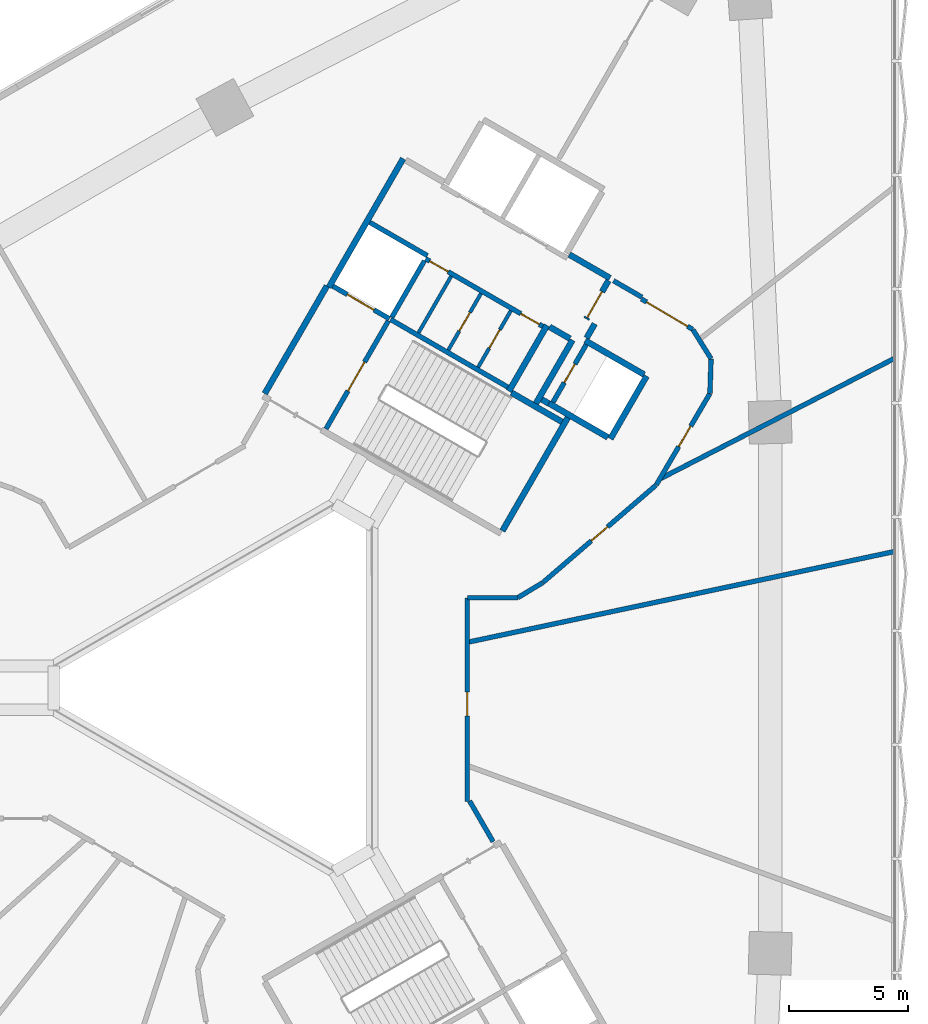
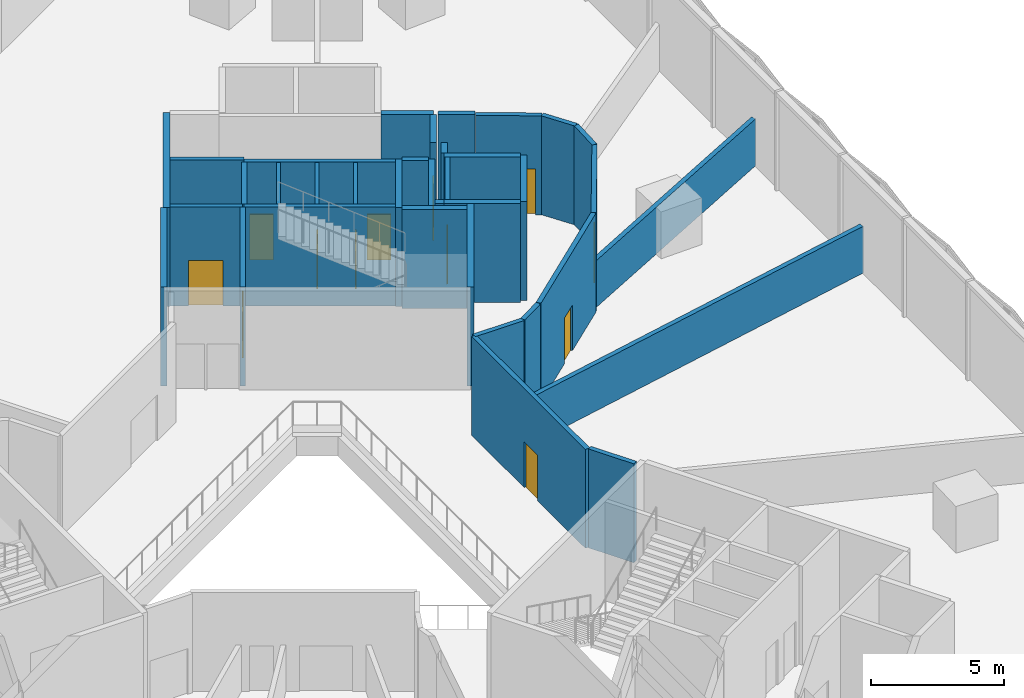
# One storey, part 15 of 24: 36 walls, 12 doors, 12 openings.
"""IFC4 building model written with IfcOpenShell, lengths in metres."""

from ifc_helpers import new_model, si_unit, direction, frame, frame_2d, origin, place, context, subcontext, project, spatial, rectangle, extrude, material, layer, layer_set, type_object, element, fill, save


model = new_model("IFC4")

# Units and contexts
model_context = context("Model", 3, precision=1e-05, world=origin(), true_north=direction((0.0, 1.0)))
body_context = subcontext(model_context, "Body", "Model", "MODEL_VIEW")
ifc_project = project(units=[si_unit("LENGTHUNIT", "METRE"), si_unit("AREAUNIT", "SQUARE_METRE"), si_unit("VOLUMEUNIT", "CUBIC_METRE"), si_unit("PLANEANGLEUNIT", "RADIAN"), si_unit("MASSUNIT", "GRAM", prefix="KILO")], contexts=[model_context])

# Site, building, storey
site_placement = place(None, origin())
site = spatial("IfcSite", under=ifc_project, at=site_placement, CompositionType="ELEMENT")
building_placement = place(site_placement, origin())
building = spatial("IfcBuilding", under=site, at=building_placement, Name="Tamra Quay Hotel Tower", CompositionType="ELEMENT")
storey_placement = place(building_placement, frame((0.0, 0.0, 19.5)))
storey = spatial("IfcBuildingStorey", under=building, at=storey_placement, Name="L03", CompositionType="ELEMENT", Elevation=19.5)

# Wall
ifc_material_1 = material(Name="Concrete M70", Category="concrete")
ifc_layer_1 = layer(ifc_material_1, 0.199951171875)
ifc_layer_set_1 = layer_set([ifc_layer_1], Name="Concrete M70 core wall 200")
wall_type_1 = type_object("IfcWallType", Name="Concrete M70 core wall 200", PredefinedType="SHEAR", material=ifc_layer_set_1)
wall_1_placement = place(storey_placement, frame((5.774658203125, 15.501953125, 0.0), z_axis=(0.0, 0.0, 1.0), x_axis=(0.866020080793, -0.500009219579, 0.0)))
element("IfcWall", 1, at=wall_1_placement, inside=storey, type_object=wall_type_1, Name="CW2", PredefinedType="SHEAR", context=body_context, shape_type="SweptSolid", body=[
    extrude(rectangle(XDim=5.69921875, YDim=0.199951171875, at=frame_2d((2.849609375, 0.0))), origin(), (0.0, 0.0, 1.0), 4.550048828125),
])

# Wall, openings, doors
wall_2_placement = place(storey_placement, frame((12.18505859375, 15.20703125, 0.0), z_axis=(0.0, 0.0, 1.0), x_axis=(-0.866020080793, 0.500009219579, 0.0)))
wall_2 = element("IfcWall", 2, at=wall_2_placement, inside=storey, type_object=wall_type_1, Name="CW2", PredefinedType="SHEAR", context=body_context, shape_type="SweptSolid", body=[
    extrude(rectangle(XDim=5.69921875, YDim=0.199951171875, at=frame_2d((2.849609375, 0.0))), origin(), (0.0, 0.0, 1.0), 4.550048828125),
])
opening_1_placement = place(wall_2_placement, frame((0.174072265625, 0.0, 0.0)))
opening_1 = element("IfcOpeningElement", 3, at=opening_1_placement, cuts=wall_2, Name="Opening D2", PredefinedType="OPENING", context=body_context, shape_type="SweptSolid", body=[
    extrude(rectangle(XDim=0.89990234375, YDim=2.10009765625, at=frame_2d((0.449951171875, 1.050048828125))), frame((0.0, 0.10986328125, 0.0), z_axis=(0.0, -1.0, 0.0), x_axis=(1.0, 0.0, 0.0)), (0.0, 0.0, 1.0), 0.219970703125),
])
opening_2_placement = place(wall_2_placement, frame((4.59912109375, 0.0, 0.0)))
opening_2 = element("IfcOpeningElement", 4, at=opening_2_placement, cuts=wall_2, Name="Opening D2", PredefinedType="OPENING", context=body_context, shape_type="SweptSolid", body=[
    extrude(rectangle(XDim=0.89990234375, YDim=2.10009765625, at=frame_2d((0.449951171875, 1.050048828125))), frame((0.0, 0.10986328125, 0.0), z_axis=(0.0, -1.0, 0.0), x_axis=(1.0, 0.0, 0.0)), (0.0, 0.0, 1.0), 0.219970703125),
])
ifc_material_2 = material(Name="Core door D2 900x2100 LH")
door_type_1 = type_object("IfcDoorType", Name="Core door D2 900x2100 LH", OperationType="NOTDEFINED", PredefinedType="DOOR", material=ifc_material_2)
door_1_placement = place(opening_1_placement, origin())
door_1 = element("IfcDoor", 5, at=door_1_placement, inside=storey, type_object=door_type_1, Name="D2", OperationType="SINGLE_SWING_LEFT", OverallHeight=2.10009765625, OverallWidth=0.89990234375, PredefinedType="DOOR", context=body_context, shape_type="SweptSolid", body=[
    extrude(rectangle(XDim=0.89990234375, YDim=2.10009765625, at=frame_2d((0.449951171875, 1.050048828125))), frame((0.0, 0.02490234375, 0.0), z_axis=(0.0, -1.0, 0.0), x_axis=(1.0, 0.0, 0.0)), (0.0, 0.0, 1.0), 0.050048828125),
])
fill(opening_1, door_1)
ifc_material_3 = material(Name="Core door D2 900x2100 RH")
door_type_2 = type_object("IfcDoorType", Name="Core door D2 900x2100 RH", OperationType="NOTDEFINED", PredefinedType="DOOR", material=ifc_material_3)
door_2_placement = place(opening_2_placement, origin())
door_2 = element("IfcDoor", 6, at=door_2_placement, inside=storey, type_object=door_type_2, Name="D2", OperationType="SINGLE_SWING_RIGHT", OverallHeight=2.10009765625, OverallWidth=0.89990234375, PredefinedType="DOOR", context=body_context, shape_type="SweptSolid", body=[
    extrude(rectangle(XDim=0.89990234375, YDim=2.10009765625, at=frame_2d((0.449951171875, 1.050048828125))), frame((0.0, 0.02490234375, 0.0), z_axis=(0.0, -1.0, 0.0), x_axis=(1.0, 0.0, 0.0)), (0.0, 0.0, 1.0), 0.050048828125),
])
fill(opening_2, door_2)

# Wall, opening, door
wall_3_placement = place(storey_placement, frame((3.056640625, 10.89453125, 0.0), z_axis=(0.0, 0.0, 1.0), x_axis=(0.499989418164, 0.866031513124, 0.0)))
wall_3 = element("IfcWall", 7, at=wall_3_placement, inside=storey, type_object=wall_type_1, Name="CW2", PredefinedType="SHEAR", context=body_context, shape_type="SweptSolid", body=[
    extrude(rectangle(XDim=5.2509765625, YDim=0.199951171875, at=frame_2d((2.62548828125, 0.0))), origin(), (0.0, 0.0, 1.0), 4.550048828125),
])
opening_3_placement = place(wall_3_placement, frame((1.84912109375, 0.0, 0.0)))
opening_3 = element("IfcOpeningElement", 8, at=opening_3_placement, cuts=wall_3, Name="Opening FD2", PredefinedType="OPENING", context=body_context, shape_type="SweptSolid", body=[
    extrude(rectangle(XDim=1.39990234375, YDim=2.10009765625, at=frame_2d((0.699951171875, 1.050048828125))), frame((0.0, 0.10986328125, 0.0), z_axis=(0.0, -1.0, 0.0), x_axis=(1.0, 0.0, 0.0)), (0.0, 0.0, 1.0), 0.219970703125),
])
ifc_material_4 = material(Name="Core door FD2 1400x2100 RH")
door_type_3 = type_object("IfcDoorType", Name="Core door FD2 1400x2100 RH", OperationType="NOTDEFINED", PredefinedType="DOOR", material=ifc_material_4)
door_3_placement = place(opening_3_placement, origin())
door_3 = element("IfcDoor", 9, at=door_3_placement, inside=storey, type_object=door_type_3, Name="FD2", OperationType="SINGLE_SWING_RIGHT", OverallHeight=2.10009765625, OverallWidth=1.39990234375, PredefinedType="DOOR", context=body_context, shape_type="SweptSolid", body=[
    extrude(rectangle(XDim=1.39990234375, YDim=2.10009765625, at=frame_2d((0.699951171875, 1.050048828125))), frame((0.0, 0.02490234375, 0.0), z_axis=(0.0, -1.0, 0.0), x_axis=(1.0, 0.0, 0.0)), (0.0, 0.0, 1.0), 0.050048828125),
])
fill(opening_3, door_3)

wall_4_placement = place(storey_placement, frame((14.0078125, 14.442138671875, 0.0), z_axis=(0.0, 0.0, 1.0), x_axis=(-0.499986818241, -0.866033014143, 0.0)))
wall_4 = element("IfcWall", 10, at=wall_4_placement, inside=storey, type_object=wall_type_1, Name="CW2", PredefinedType="SHEAR", context=body_context, shape_type="SweptSolid", body=[
    extrude(rectangle(XDim=2.7978515625, YDim=0.199951171875, at=frame_2d((1.39892578125, 0.0))), origin(), (0.0, 0.0, 1.0), 4.550048828125),
])
opening_4_placement = place(wall_4_placement, frame((0.948974609375, 0.0, 0.0)))
opening_4 = element("IfcOpeningElement", 11, at=opening_4_placement, cuts=wall_4, Name="Opening D1", PredefinedType="OPENING", context=body_context, shape_type="SweptSolid", body=[
    extrude(rectangle(XDim=0.89990234375, YDim=2.10009765625, at=frame_2d((0.449951171875, 1.050048828125))), frame((0.0, 0.10986328125, 0.0), z_axis=(0.0, -1.0, 0.0), x_axis=(1.0, 0.0, 0.0)), (0.0, 0.0, 1.0), 0.219970703125),
])
ifc_material_5 = material(Name="Core door D1 900x2100 LH")
door_type_4 = type_object("IfcDoorType", Name="Core door D1 900x2100 LH", OperationType="NOTDEFINED", PredefinedType="DOOR", material=ifc_material_5)
door_4_placement = place(opening_4_placement, origin())
door_4 = element("IfcDoor", 12, at=door_4_placement, inside=storey, type_object=door_type_4, Name="D1", OperationType="SINGLE_SWING_LEFT", OverallHeight=2.10009765625, OverallWidth=0.89990234375, PredefinedType="DOOR", context=body_context, shape_type="SweptSolid", body=[
    extrude(rectangle(XDim=0.89990234375, YDim=2.10009765625, at=frame_2d((0.449951171875, 1.050048828125))), frame((0.0, 0.02490234375, 0.0), z_axis=(0.0, -1.0, 0.0), x_axis=(1.0, 0.0, 0.0)), (0.0, 0.0, 1.0), 0.050048828125),
])
fill(opening_4, door_4)

# Wall
wall_5_placement = place(storey_placement, frame((7.199462890625, 17.969970703125, 0.0), z_axis=(0.0, 0.0, 1.0), x_axis=(-0.499968400327, -0.866043647095, 0.0)))
element("IfcWall", 13, at=wall_5_placement, inside=storey, type_object=wall_type_1, Name="CW2", PredefinedType="SHEAR", context=body_context, shape_type="SweptSolid", body=[
    extrude(rectangle(XDim=2.749755859375, YDim=0.199951171875, at=frame_2d((1.375, 0.0))), origin(), (0.0, 0.0, 1.0), 4.550048828125),
])

# Wall, opening, door
wall_6_placement = place(storey_placement, frame((5.72509765625, 15.530517578125, 0.0), z_axis=(0.0, 0.0, 1.0), x_axis=(-0.866037306777, 0.499979382845, 0.0)))
wall_6 = element("IfcWall", 14, at=wall_6_placement, inside=storey, type_object=wall_type_1, Name="CW2", PredefinedType="SHEAR", context=body_context, shape_type="SweptSolid", body=[
    extrude(rectangle(XDim=2.74169921875, YDim=0.199951171875, at=frame_2d((1.370849609375, 0.0))), origin(), (0.0, 0.0, 1.0), 4.550048828125),
])
opening_5_placement = place(wall_6_placement, frame((0.742919921875, 0.0, 0.0)))
opening_5 = element("IfcOpeningElement", 15, at=opening_5_placement, cuts=wall_6, Name="Opening LD", PredefinedType="OPENING", context=body_context, shape_type="SweptSolid", body=[
    extrude(rectangle(XDim=1.300048828125, YDim=2.10009765625, at=frame_2d((0.64990234375, 1.050048828125))), frame((0.0, 0.10986328125, 0.0), z_axis=(0.0, -1.0, 0.0), x_axis=(1.0, 0.0, 0.0)), (0.0, 0.0, 1.0), 0.219970703125),
])
ifc_material_6 = material(Name="Landing door LD 1300 sliding to right")
door_type_5 = type_object("IfcDoorType", Name="Landing door LD 1300 sliding to right", OperationType="NOTDEFINED", PredefinedType="DOOR", material=ifc_material_6)
door_5_placement = place(opening_5_placement, origin())
door_5 = element("IfcDoor", 16, at=door_5_placement, inside=storey, type_object=door_type_5, Name="LD", OperationType="SLIDING_TO_RIGHT", OverallHeight=2.10009765625, OverallWidth=1.300048828125, PredefinedType="DOOR", context=body_context, shape_type="SweptSolid", body=[
    extrude(rectangle(XDim=1.300048828125, YDim=2.10009765625, at=frame_2d((0.64990234375, 1.050048828125))), frame((0.0, 0.02490234375, 0.0), z_axis=(0.0, -1.0, 0.0), x_axis=(1.0, 0.0, 0.0)), (0.0, 0.0, 1.0), 0.050048828125),
])
fill(opening_5, door_5)

# Walls
wall_7_placement = place(storey_placement, frame((4.900634765625, 19.5859375, 0.0), z_axis=(0.0, 0.0, 1.0), x_axis=(0.866022890907, -0.500004352405, 0.0)))
element("IfcWall", 17, at=wall_7_placement, inside=storey, type_object=wall_type_1, Name="CW2", PredefinedType="SHEAR", context=body_context, shape_type="SweptSolid", body=[
    extrude(rectangle(XDim=2.798828125, YDim=0.199951171875, at=frame_2d((1.3994140625, 0.0))), origin(), (0.0, 0.0, 1.0), 4.550048828125),
])
ifc_layer_2 = layer(ifc_material_1, 0.25)
ifc_layer_set_2 = layer_set([ifc_layer_2], Name="Concrete M70 core wall 250")
wall_type_2 = type_object("IfcWallType", Name="Concrete M70 core wall 250", PredefinedType="SHEAR", material=ifc_layer_set_2)
wall_8_placement = place(storey_placement, frame((3.178955078125, 16.856201171875, 0.0), z_axis=(0.0, 0.0, 1.0), x_axis=(0.500004234368, 0.866022959057, 0.0)))
element("IfcWall", 18, at=wall_8_placement, inside=storey, type_object=wall_type_2, Name="CW1", PredefinedType="SHEAR", context=body_context, shape_type="SweptSolid", body=[
    extrude(rectangle(XDim=6.25, YDim=0.25, at=frame_2d((3.125, 0.0))), origin(), (0.0, 0.0, 1.0), 4.550048828125),
])
wall_9_placement = place(storey_placement, frame((0.47998046875, 12.38134765625, 0.0), z_axis=(0.0, 0.0, 1.0), x_axis=(0.49999885962, 0.866026062182, 0.0)))
element("IfcWall", 19, at=wall_9_placement, inside=storey, type_object=wall_type_2, Name="CW1", PredefinedType="SHEAR", context=body_context, shape_type="SweptSolid", body=[
    extrude(rectangle(XDim=5.224609375, YDim=0.25, at=frame_2d((2.6123046875, 0.0))), origin(), (0.0, 0.0, 1.0), 4.550048828125),
])
wall_10_placement = place(storey_placement, frame((13.237548828125, 11.3779296875, 0.0), z_axis=(0.0, 0.0, 1.0), x_axis=(-0.500008851346, -0.866020293397, 0.0)))
element("IfcWall", 20, at=wall_10_placement, inside=storey, type_object=wall_type_2, Name="CW1", PredefinedType="SHEAR", context=body_context, shape_type="SweptSolid", body=[
    extrude(rectangle(XDim=5.509765625, YDim=0.25, at=frame_2d((2.7548828125, 0.0))), origin(), (0.0, 0.0, 1.0), 4.550048828125),
])
wall_11_placement = place(storey_placement, frame((12.356689453125, 15.25244140625, 0.0), z_axis=(0.0, 0.0, 1.0), x_axis=(-0.500028443584, -0.866008981251, 0.0)))
element("IfcWall", 21, at=wall_11_placement, inside=storey, type_object=wall_type_2, Name="CW1", PredefinedType="SHEAR", context=body_context, shape_type="SweptSolid", body=[
    extrude(rectangle(XDim=3.199951171875, YDim=0.25, at=frame_2d((1.60009765625, 0.0))), origin(), (0.0, 0.0, 1.0), 4.550048828125),
])
wall_12_placement = place(storey_placement, frame((16.552001953125, 13.118896484375, 0.0), z_axis=(0.0, 0.0, 1.0), x_axis=(-0.499978833458, -0.866037623948, 0.0)))
element("IfcWall", 22, at=wall_12_placement, inside=storey, type_object=wall_type_2, Name="CW1", PredefinedType="SHEAR", context=body_context, shape_type="SweptSolid", body=[
    extrude(rectangle(XDim=3.050048828125, YDim=0.25, at=frame_2d((1.52490234375, 0.0))), origin(), (0.0, 0.0, 1.0), 4.550048828125),
])
wall_13_placement = place(storey_placement, frame((14.91845703125, 10.540283203125, 0.0), z_axis=(0.0, 0.0, 1.0), x_axis=(-0.866063538972, 0.499933942099, 0.0)))
element("IfcWall", 23, at=wall_13_placement, inside=storey, type_object=wall_type_2, Name="CW1", PredefinedType="SHEAR", context=body_context, shape_type="SweptSolid", body=[
    extrude(rectangle(XDim=2.86474609375, YDim=0.25, at=frame_2d((1.432373046875, 0.0))), origin(), (0.0, 0.0, 1.0), 4.550048828125),
])
wall_14_placement = place(storey_placement, frame((13.962646484375, 14.61376953125, 0.0), z_axis=(0.0, 0.0, 1.0), x_axis=(0.866042235819, -0.499970844928, 0.0)))
element("IfcWall", 24, at=wall_14_placement, inside=storey, type_object=wall_type_2, Name="CW1", PredefinedType="SHEAR", context=body_context, shape_type="SweptSolid", body=[
    extrude(rectangle(XDim=2.864501953125, YDim=0.25, at=frame_2d((1.43212890625, 0.0))), origin(), (0.0, 0.0, 1.0), 4.550048828125),
])
wall_15_placement = place(storey_placement, frame((11.887939453125, 11.960693359375, 0.0), z_axis=(0.0, 0.0, 1.0), x_axis=(0.500003324108, 0.866023484601, 0.0)))
element("IfcWall", 25, at=wall_15_placement, inside=storey, type_object=wall_type_2, Name="CW1", PredefinedType="SHEAR", context=body_context, shape_type="SweptSolid", body=[
    extrude(rectangle(XDim=3.0849609375, YDim=0.25, at=frame_2d((1.54248046875, 0.0))), origin(), (0.0, 0.0, 1.0), 4.550048828125),
])
wall_16_placement = place(storey_placement, frame((10.865234375, 12.41845703125, 0.0), z_axis=(0.0, 0.0, 1.0), x_axis=(0.866026229868, -0.499998569178, 0.0)))
element("IfcWall", 26, at=wall_16_placement, inside=storey, type_object=wall_type_2, Name="CW1", PredefinedType="SHEAR", context=body_context, shape_type="SweptSolid", body=[
    extrude(rectangle(XDim=2.44921875, YDim=0.25, at=frame_2d((1.224609375, 0.0))), origin(), (0.0, 0.0, 1.0), 4.550048828125),
])
wall_17_placement = place(storey_placement, frame((13.29736328125, 18.23095703125, 0.0), z_axis=(0.0, 0.0, 1.0), x_axis=(0.866043531843, -0.499968599967, 0.0)))
element("IfcWall", 27, at=wall_17_placement, inside=storey, type_object=wall_type_2, Name="CW1", PredefinedType="SHEAR", context=body_context, shape_type="SweptSolid", body=[
    extrude(rectangle(XDim=1.974853515625, YDim=0.25, at=frame_2d((0.9873046875, 0.0))), origin(), (0.0, 0.0, 1.0), 4.550048828125),
])

# Wall, opening, door
wall_18_placement = place(storey_placement, frame((14.94482421875, 17.13525390625, 0.0), z_axis=(0.0, 0.0, 1.0), x_axis=(-0.499983108224, -0.866035156036, 0.0)))
wall_18 = element("IfcWall", 28, at=wall_18_placement, inside=storey, type_object=wall_type_2, Name="CW1", PredefinedType="SHEAR", context=body_context, shape_type="SweptSolid", body=[
    extrude(rectangle(XDim=1.86474609375, YDim=0.25, at=frame_2d((0.932373046875, 0.0))), origin(), (0.0, 0.0, 1.0), 4.550048828125),
])
opening_6_placement = place(wall_18_placement, frame((0.53466796875, 0.0, 0.0)))
opening_6 = element("IfcOpeningElement", 29, at=opening_6_placement, cuts=wall_18, Name="Opening FD3", PredefinedType="OPENING", context=body_context, shape_type="SweptSolid", body=[
    extrude(rectangle(XDim=1.25, YDim=2.10009765625, at=frame_2d((0.625, 1.050048828125))), frame((0.0, 0.135009765625, 0.0), z_axis=(0.0, -1.0, 0.0), x_axis=(1.0, 0.0, 0.0)), (0.0, 0.0, 1.0), 0.27001953125),
])
ifc_material_7 = material(Name="Core door FD3 1250x2100 LH")
door_type_6 = type_object("IfcDoorType", Name="Core door FD3 1250x2100 LH", OperationType="NOTDEFINED", PredefinedType="DOOR", material=ifc_material_7)
door_6_placement = place(opening_6_placement, origin())
door_6 = element("IfcDoor", 30, at=door_6_placement, inside=storey, type_object=door_type_6, Name="FD3", OperationType="SINGLE_SWING_LEFT", OverallHeight=2.10009765625, OverallWidth=1.25, PredefinedType="DOOR", context=body_context, shape_type="SweptSolid", body=[
    extrude(rectangle(XDim=1.25, YDim=2.10009765625, at=frame_2d((0.625, 1.050048828125))), frame((0.0, 0.02490234375, 0.0), z_axis=(0.0, -1.0, 0.0), x_axis=(1.0, 0.0, 0.0)), (0.0, 0.0, 1.0), 0.050048828125),
])
fill(opening_6, door_6)

# Walls
wall_19_placement = place(storey_placement, frame((13.322021484375, 14.695068359375, 0.0), z_axis=(0.0, 0.0, 1.0), x_axis=(-0.866017078145, 0.500014420154, 0.0)))
element("IfcWall", 31, at=wall_19_placement, inside=storey, type_object=wall_type_2, Name="CW1", PredefinedType="SHEAR", context=body_context, shape_type="SweptSolid", body=[
    extrude(rectangle(XDim=0.9892578125, YDim=0.25, at=frame_2d((0.49462890625, 0.0))), origin(), (0.0, 0.0, 1.0), 4.550048828125),
])
wall_20_placement = place(storey_placement, frame((14.36767578125, 15.3154296875, 0.0), z_axis=(0.0, 0.0, 1.0), x_axis=(-0.499897359611, -0.866084655132, 0.0)))
element("IfcWall", 32, at=wall_20_placement, inside=storey, type_object=wall_type_2, Name="CW1", PredefinedType="SHEAR", context=body_context, shape_type="SweptSolid", body=[
    extrude(rectangle(XDim=0.684814453125, YDim=0.25, at=frame_2d((0.34228515625, 0.0))), origin(), (0.0, 0.0, 1.0), 4.550048828125),
])
wall_21_placement = place(storey_placement, frame((12.4326171875, 11.9638671875, 0.0), z_axis=(0.0, 0.0, 1.0), x_axis=(-0.866055875208, 0.499947218231, 0.0)))
element("IfcWall", 33, at=wall_21_placement, inside=storey, type_object=wall_type_2, Name="CW1", PredefinedType="SHEAR", context=body_context, shape_type="SweptSolid", body=[
    extrude(rectangle(XDim=0.3447265625, YDim=0.25, at=frame_2d((0.17236328125, 0.0))), origin(), (0.0, 0.0, 1.0), 4.550048828125),
])

# Wall, opening, door
ifc_material_8 = material(Name="Blockwork", Category="masonry")
ifc_layer_3 = layer(ifc_material_8, 0.14990234375)
ifc_layer_set_3 = layer_set([ifc_layer_3], Name="Core partition block 150")
wall_type_3 = type_object("IfcWallType", Name="Core partition block 150", PredefinedType="PARTITIONING", material=ifc_layer_set_3)
wall_22_placement = place(storey_placement, frame((9.462158203125, 13.4892578125, 0.0), z_axis=(0.0, 0.0, 1.0), x_axis=(0.50002746344, 0.86600954718, 0.0)))
wall_22 = element("IfcWall", 34, at=wall_22_placement, inside=storey, type_object=wall_type_3, Name="CP1", PredefinedType="PARTITIONING", context=body_context, shape_type="SweptSolid", body=[
    extrude(rectangle(XDim=2.748291015625, YDim=0.14990234375, at=frame_2d((1.3740234375, 0.0))), origin(), (0.0, 0.0, 1.0), 4.550048828125),
])
opening_7_placement = place(wall_22_placement, frame((0.92431640625, 0.0, 0.0)))
opening_7 = element("IfcOpeningElement", 35, at=opening_7_placement, cuts=wall_22, Name="Opening D2", PredefinedType="OPENING", context=body_context, shape_type="SweptSolid", body=[
    extrude(rectangle(XDim=0.89990234375, YDim=2.10009765625, at=frame_2d((0.449951171875, 1.050048828125))), frame((0.0, 0.0849609375, 0.0), z_axis=(0.0, -1.0, 0.0), x_axis=(1.0, 0.0, 0.0)), (0.0, 0.0, 1.0), 0.169921875),
])
door_7_placement = place(opening_7_placement, origin())
door_7 = element("IfcDoor", 36, at=door_7_placement, inside=storey, type_object=door_type_2, Name="D2", OperationType="SINGLE_SWING_RIGHT", OverallHeight=2.10009765625, OverallWidth=0.89990234375, PredefinedType="DOOR", context=body_context, shape_type="SweptSolid", body=[
    extrude(rectangle(XDim=0.89990234375, YDim=2.10009765625, at=frame_2d((0.449951171875, 1.050048828125))), frame((0.0, 0.02490234375, 0.0), z_axis=(0.0, -1.0, 0.0), x_axis=(1.0, 0.0, 0.0)), (0.0, 0.0, 1.0), 0.050048828125),
])
fill(opening_7, door_7)

wall_23_placement = place(storey_placement, frame((8.20654296875, 14.214111328125, 0.0), z_axis=(0.0, 0.0, 1.0), x_axis=(0.499922376475, 0.866070215109, 0.0)))
wall_23 = element("IfcWall", 37, at=wall_23_placement, inside=storey, type_object=wall_type_3, Name="CP1", PredefinedType="PARTITIONING", context=body_context, shape_type="SweptSolid", body=[
    extrude(rectangle(XDim=2.74853515625, YDim=0.14990234375, at=frame_2d((1.374267578125, 0.0))), origin(), (0.0, 0.0, 1.0), 4.550048828125),
])
opening_8_placement = place(wall_23_placement, frame((0.92431640625, 0.0, 0.0)))
opening_8 = element("IfcOpeningElement", 38, at=opening_8_placement, cuts=wall_23, Name="Opening D2", PredefinedType="OPENING", context=body_context, shape_type="SweptSolid", body=[
    extrude(rectangle(XDim=0.89990234375, YDim=2.10009765625, at=frame_2d((0.449951171875, 1.050048828125))), frame((0.0, 0.0849609375, 0.0), z_axis=(0.0, -1.0, 0.0), x_axis=(1.0, 0.0, 0.0)), (0.0, 0.0, 1.0), 0.169921875),
])
door_8_placement = place(opening_8_placement, origin())
door_8 = element("IfcDoor", 39, at=door_8_placement, inside=storey, type_object=door_type_1, Name="D2", OperationType="SINGLE_SWING_LEFT", OverallHeight=2.10009765625, OverallWidth=0.89990234375, PredefinedType="DOOR", context=body_context, shape_type="SweptSolid", body=[
    extrude(rectangle(XDim=0.89990234375, YDim=2.10009765625, at=frame_2d((0.449951171875, 1.050048828125))), frame((0.0, 0.02490234375, 0.0), z_axis=(0.0, -1.0, 0.0), x_axis=(1.0, 0.0, 0.0)), (0.0, 0.0, 1.0), 0.050048828125),
])
fill(opening_8, door_8)

# Wall
wall_24_placement = place(storey_placement, frame((6.95068359375, 14.939208984375, 0.0), z_axis=(0.0, 0.0, 1.0), x_axis=(0.50002746344, 0.86600954718, 0.0)))
element("IfcWall", 40, at=wall_24_placement, inside=storey, type_object=wall_type_3, Name="CP1", PredefinedType="PARTITIONING", context=body_context, shape_type="SweptSolid", body=[
    extrude(rectangle(XDim=2.748291015625, YDim=0.14990234375, at=frame_2d((1.3740234375, 0.0))), origin(), (0.0, 0.0, 1.0), 4.550048828125),
])

# Wall, opening, door
ifc_material_9 = material(Name="Partition corridor wall")
ifc_layer_4 = layer(ifc_material_9, 0.199951171875)
ifc_layer_set_4 = layer_set([ifc_layer_4], Name="Partition corridor wall")
wall_type_4 = type_object("IfcWallType", Name="Partition corridor wall", PredefinedType="PARTITIONING", material=ifc_layer_set_4)
wall_25_placement = place(storey_placement, frame((9.0, -4.787109375, 0.0), z_axis=(0.0, 0.0, 1.0), x_axis=(0.0, 1.0, 0.0)))
wall_25 = element("IfcWall", 41, at=wall_25_placement, inside=storey, type_object=wall_type_4, Name="W-C", PredefinedType="PARTITIONING", context=body_context, shape_type="SweptSolid", body=[
    extrude(rectangle(XDim=8.571044921875, YDim=0.199951171875, at=frame_2d((4.28564453125, 0.0))), origin(), (0.0, 0.0, 1.0), 4.550048828125),
])
opening_9_placement = place(wall_25_placement, frame((3.6064453125, 0.0, 0.0)))
opening_9 = element("IfcOpeningElement", 42, at=opening_9_placement, cuts=wall_25, Name="Opening L03-D010", PredefinedType="OPENING", context=body_context, shape_type="SweptSolid", body=[
    extrude(rectangle(XDim=1.0, YDim=2.10009765625, at=frame_2d((0.5, 1.050048828125))), frame((0.0, 0.10986328125, 0.0), z_axis=(0.0, -1.0, 0.0), x_axis=(1.0, 0.0, 0.0)), (0.0, 0.0, 1.0), 0.219970703125),
])
ifc_material_10 = material(Name="Door guest room 1000x2100")
door_type_7 = type_object("IfcDoorType", Name="Door guest room 1000x2100", OperationType="NOTDEFINED", PredefinedType="DOOR", material=ifc_material_10)
door_9_placement = place(opening_9_placement, frame((1.0, 0.0, 0.0), z_axis=(0.0, 0.0, 1.0), x_axis=(-1.0, 0.0, 0.0)))
door_9 = element("IfcDoor", 43, at=door_9_placement, inside=storey, type_object=door_type_7, Name="L03-D010", OperationType="SINGLE_SWING_LEFT", OverallHeight=2.10009765625, OverallWidth=1.0, PredefinedType="DOOR", context=body_context, shape_type="SweptSolid", body=[
    extrude(rectangle(XDim=1.0, YDim=2.10009765625, at=frame_2d((0.5, 1.050048828125))), frame((0.0, 0.02490234375, 0.0), z_axis=(0.0, -1.0, 0.0), x_axis=(1.0, 0.0, 0.0)), (0.0, 0.0, 1.0), 0.050048828125),
])
fill(opening_9, door_9)

# Walls
wall_26_placement = place(storey_placement, frame((9.010009765625, 3.7939453125, 0.0), z_axis=(0.0, 0.0, 1.0), x_axis=(1.0, 0.0, 0.0)))
element("IfcWall", 44, at=wall_26_placement, inside=storey, type_object=wall_type_4, Name="W-C", PredefinedType="PARTITIONING", context=body_context, shape_type="SweptSolid", body=[
    extrude(rectangle(XDim=2.1220703125, YDim=0.199951171875, at=frame_2d((1.06103515625, 0.0))), origin(), (0.0, 0.0, 1.0), 4.550048828125),
])
wall_27_placement = place(storey_placement, frame((9.10107421875, -4.762939453125, 0.0), z_axis=(0.0, 0.0, 1.0), x_axis=(0.500150029396, -0.865938766944, 0.0)))
element("IfcWall", 45, at=wall_27_placement, inside=storey, type_object=wall_type_4, Name="W-C", PredefinedType="PARTITIONING", context=body_context, shape_type="SweptSolid", body=[
    extrude(rectangle(XDim=1.97705078125, YDim=0.199951171875, at=frame_2d((0.988525390625, 0.0))), origin(), (0.0, 0.0, 1.0), 4.550048828125),
])
wall_28_placement = place(storey_placement, frame((11.135986328125, 3.797119140625, 0.0), z_axis=(0.0, 0.0, 1.0), x_axis=(0.856568110317, 0.516033983753, 0.0)))
element("IfcWall", 46, at=wall_28_placement, inside=storey, type_object=wall_type_4, Name="W-C", PredefinedType="PARTITIONING", context=body_context, shape_type="SweptSolid", body=[
    extrude(rectangle(XDim=1.213134765625, YDim=0.199951171875, at=frame_2d((0.6064453125, 0.0))), origin(), (0.0, 0.0, 1.0), 4.550048828125),
])

# Wall, opening, door
wall_29_placement = place(storey_placement, frame((12.18701171875, 4.43310546875, 0.0), z_axis=(0.0, 0.0, 1.0), x_axis=(0.757945584444, 0.652317783769, 0.0)))
wall_29 = element("IfcWall", 47, at=wall_29_placement, inside=storey, type_object=wall_type_4, Name="W-C", PredefinedType="PARTITIONING", context=body_context, shape_type="SweptSolid", body=[
    extrude(rectangle(XDim=6.277587890625, YDim=0.199951171875, at=frame_2d((3.138671875, 0.0))), origin(), (0.0, 0.0, 1.0), 4.550048828125),
])
opening_10_placement = place(wall_29_placement, frame((2.688720703125, 0.0, 0.0)))
opening_10 = element("IfcOpeningElement", 48, at=opening_10_placement, cuts=wall_29, Name="Opening L03-D011", PredefinedType="OPENING", context=body_context, shape_type="SweptSolid", body=[
    extrude(rectangle(XDim=0.89990234375, YDim=2.10009765625, at=frame_2d((0.449951171875, 1.050048828125))), frame((0.0, 0.10986328125, 0.0), z_axis=(0.0, -1.0, 0.0), x_axis=(1.0, 0.0, 0.0)), (0.0, 0.0, 1.0), 0.219970703125),
])
ifc_material_11 = material(Name="Door service room 900x2100")
door_type_8 = type_object("IfcDoorType", Name="Door service room 900x2100", OperationType="NOTDEFINED", PredefinedType="DOOR", material=ifc_material_11)
door_10_placement = place(opening_10_placement, frame((0.89990234375, 0.0, 0.0), z_axis=(0.0, 0.0, 1.0), x_axis=(-1.0, 0.0, 0.0)))
door_10 = element("IfcDoor", 49, at=door_10_placement, inside=storey, type_object=door_type_8, Name="L03-D011", OperationType="SINGLE_SWING_LEFT", OverallHeight=2.10009765625, OverallWidth=0.89990234375, PredefinedType="DOOR", context=body_context, shape_type="SweptSolid", body=[
    extrude(rectangle(XDim=0.89990234375, YDim=2.10009765625, at=frame_2d((0.449951171875, 1.050048828125))), frame((0.0, 0.02490234375, 0.0), z_axis=(0.0, -1.0, 0.0), x_axis=(1.0, 0.0, 0.0)), (0.0, 0.0, 1.0), 0.050048828125),
])
fill(opening_10, door_10)

# Wall
wall_30_placement = place(storey_placement, frame((15.15576171875, 17.130615234375, 0.0), z_axis=(0.0, 0.0, 1.0), x_axis=(0.865639364436, -0.500668044455, 0.0)))
element("IfcWall", 50, at=wall_30_placement, inside=storey, type_object=wall_type_4, Name="W-C", PredefinedType="PARTITIONING", context=body_context, shape_type="SweptSolid", body=[
    extrude(rectangle(XDim=1.38525390625, YDim=0.199951171875, at=frame_2d((0.692626953125, 0.0))), origin(), (0.0, 0.0, 1.0), 4.550048828125),
])

# Wall, opening, door
wall_31_placement = place(storey_placement, frame((16.3310546875, 16.362060546875, 0.0), z_axis=(0.0, 0.0, 1.0), x_axis=(0.860005465563, -0.510284821645, 0.0)))
wall_31 = element("IfcWall", 51, at=wall_31_placement, inside=storey, type_object=wall_type_4, Name="W-C", PredefinedType="PARTITIONING", context=body_context, shape_type="SweptSolid", body=[
    extrude(rectangle(XDim=2.51025390625, YDim=0.199951171875, at=frame_2d((1.255126953125, 0.0))), origin(), (0.0, 0.0, 1.0), 4.550048828125),
])
opening_11_placement = place(wall_31_placement, frame((0.255126953125, 0.0, 0.0)))
opening_11 = element("IfcOpeningElement", 52, at=opening_11_placement, cuts=wall_31, Name="Opening L03-D003", PredefinedType="OPENING", context=body_context, shape_type="SweptSolid", body=[
    extrude(rectangle(XDim=2.0, YDim=2.10009765625, at=frame_2d((1.0, 1.050048828125))), frame((0.0, 0.10986328125, 0.0), z_axis=(0.0, -1.0, 0.0), x_axis=(1.0, 0.0, 0.0)), (0.0, 0.0, 1.0), 0.219970703125),
])
ifc_material_12 = material(Name="Door double leaf 2000x2100")
door_type_9 = type_object("IfcDoorType", Name="Door double leaf 2000x2100", OperationType="DOUBLE_DOOR_SINGLE_SWING", PredefinedType="DOOR", material=ifc_material_12)
door_11_placement = place(opening_11_placement, origin())
door_11 = element("IfcDoor", 53, at=door_11_placement, inside=storey, type_object=door_type_9, Name="L03-D003", OperationType="DOUBLE_DOOR_SINGLE_SWING", OverallHeight=2.10009765625, OverallWidth=2.0, PredefinedType="DOOR", context=body_context, shape_type="SweptSolid", body=[
    extrude(rectangle(XDim=2.0, YDim=2.10009765625, at=frame_2d((1.0, 1.050048828125))), frame((0.0, 0.02490234375, 0.0), z_axis=(0.0, -1.0, 0.0), x_axis=(1.0, 0.0, 0.0)), (0.0, 0.0, 1.0), 0.050048828125),
])
fill(opening_11, door_11)

wall_32_placement = place(storey_placement, frame((16.95703125, 8.541015625, 0.0), z_axis=(0.0, 0.0, 1.0), x_axis=(0.506286576042, 0.862365295522, 0.0)))
wall_32 = element("IfcWall", 54, at=wall_32_placement, inside=storey, type_object=wall_type_4, Name="W-C", PredefinedType="PARTITIONING", context=body_context, shape_type="SweptSolid", body=[
    extrude(rectangle(XDim=4.451904296875, YDim=0.199951171875, at=frame_2d((2.22607421875, 0.0))), origin(), (0.0, 0.0, 1.0), 4.550048828125),
])
opening_12_placement = place(wall_32_placement, frame((1.86474609375, 0.0, 0.0)))
opening_12 = element("IfcOpeningElement", 55, at=opening_12_placement, cuts=wall_32, Name="Opening L03-D012", PredefinedType="OPENING", context=body_context, shape_type="SweptSolid", body=[
    extrude(rectangle(XDim=1.0, YDim=2.10009765625, at=frame_2d((0.5, 1.050048828125))), frame((0.0, 0.10986328125, 0.0), z_axis=(0.0, -1.0, 0.0), x_axis=(1.0, 0.0, 0.0)), (0.0, 0.0, 1.0), 0.219970703125),
])
door_12_placement = place(opening_12_placement, frame((1.0, 0.0, 0.0), z_axis=(0.0, 0.0, 1.0), x_axis=(-1.0, 0.0, 0.0)))
door_12 = element("IfcDoor", 56, at=door_12_placement, inside=storey, type_object=door_type_7, Name="L03-D012", OperationType="SINGLE_SWING_LEFT", OverallHeight=2.10009765625, OverallWidth=1.0, PredefinedType="DOOR", context=body_context, shape_type="SweptSolid", body=[
    extrude(rectangle(XDim=1.0, YDim=2.10009765625, at=frame_2d((0.5, 1.050048828125))), frame((0.0, 0.02490234375, 0.0), z_axis=(0.0, -1.0, 0.0), x_axis=(1.0, 0.0, 0.0)), (0.0, 0.0, 1.0), 0.050048828125),
])
fill(opening_12, door_12)

# Walls
wall_33_placement = place(storey_placement, frame((18.4990234375, 15.072021484375, 0.0), z_axis=(0.0, 0.0, 1.0), x_axis=(0.529616815535, -0.848237012104, 0.0)))
element("IfcWall", 57, at=wall_33_placement, inside=storey, type_object=wall_type_4, Name="W-C", PredefinedType="PARTITIONING", context=body_context, shape_type="SweptSolid", body=[
    extrude(rectangle(XDim=1.43603515625, YDim=0.199951171875, at=frame_2d((0.718017578125, 0.0))), origin(), (0.0, 0.0, 1.0), 4.550048828125),
])
wall_34_placement = place(storey_placement, frame((19.214111328125, 12.385009765625, 0.0), z_axis=(0.0, 0.0, 1.0), x_axis=(0.032802164331, 0.999461864213, 0.0)))
element("IfcWall", 58, at=wall_34_placement, inside=storey, type_object=wall_type_4, Name="W-C", PredefinedType="PARTITIONING", context=body_context, shape_type="SweptSolid", body=[
    extrude(rectangle(XDim=1.458740234375, YDim=0.199951171875, at=frame_2d((0.7294921875, 0.0))), origin(), (0.0, 0.0, 1.0), 4.550048828125),
])
ifc_material_13 = material(Name="Partition party wall")
ifc_layer_5 = layer(ifc_material_13, 0.199951171875)
ifc_layer_set_5 = layer_set([ifc_layer_5], Name="Partition party wall")
wall_type_5 = type_object("IfcWallType", Name="Partition party wall", PredefinedType="PARTITIONING", material=ifc_layer_set_5)
wall_35_placement = place(storey_placement, frame((9.001953125, 1.9130859375, 0.0), z_axis=(0.0, 0.0, 1.0), x_axis=(0.978140632744, 0.20794446993, 0.0)))
element("IfcWall", 59, at=wall_35_placement, inside=storey, type_object=wall_type_5, Name="W-P", PredefinedType="PARTITIONING", context=body_context, shape_type="SweptSolid", body=[
    extrude(rectangle(XDim=18.395263671875, YDim=0.199951171875, at=frame_2d((9.19775390625, 0.0))), origin(), (0.0, 0.0, 1.0), 2.14990234375),
])
wall_36_placement = place(storey_placement, frame((17.10302734375, 8.787109375, 0.0), z_axis=(0.0, 0.0, 1.0), x_axis=(0.889456094774, 0.457020629151, 0.0)))
element("IfcWall", 60, at=wall_36_placement, inside=storey, type_object=wall_type_5, Name="W-P", PredefinedType="PARTITIONING", context=body_context, shape_type="SweptSolid", body=[
    extrude(rectangle(XDim=11.1220703125, YDim=0.199951171875, at=frame_2d((5.56103515625, 0.0))), origin(), (0.0, 0.0, 1.0), 2.14990234375),
])

save(model, "model.ifc")
